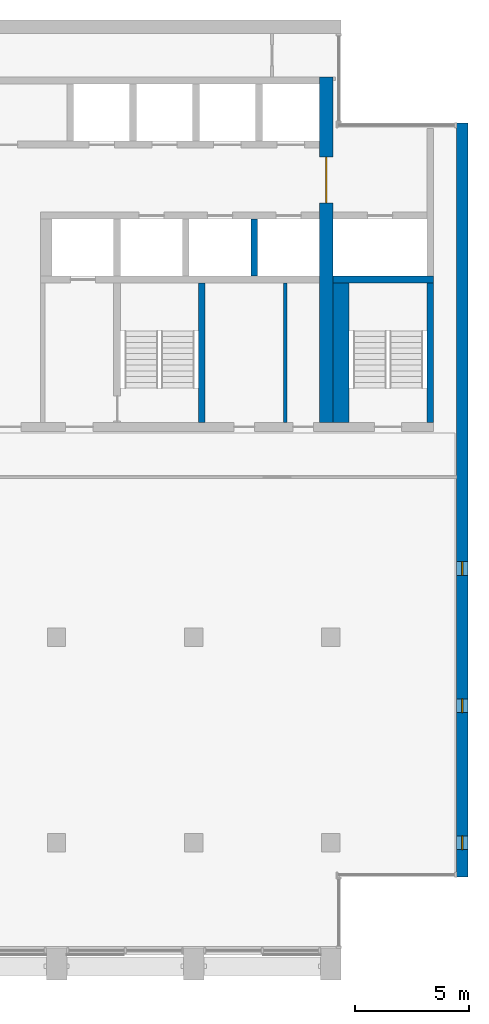
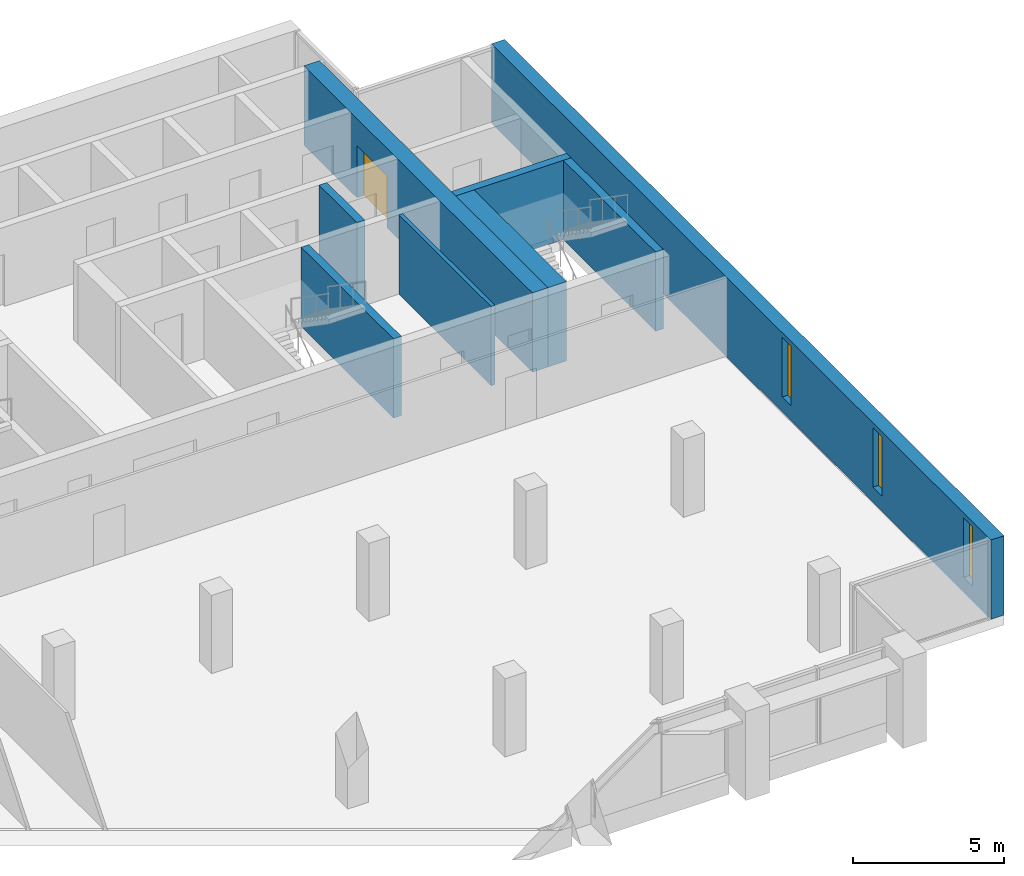
# One storey, part 9 of 14: 8 walls, 3 windows, 1 door, 4 openings.
"""IFC4 building model written with IfcOpenShell, lengths in metres."""

from ifc_helpers import new_model, si_unit, direction, frame, frame_2d, origin, place, context, subcontext, project, spatial, rectangle, extrude, material, layer, layer_set, type_object, element, fill, save


model = new_model("IFC4")

# Units and contexts
model_context = context("Model", 3, precision=1e-05, world=origin(), true_north=direction((0.0, 1.0)))
body_context = subcontext(model_context, "Body", "Model", "MODEL_VIEW")
ifc_project = project(units=[si_unit("LENGTHUNIT", "METRE"), si_unit("AREAUNIT", "SQUARE_METRE"), si_unit("VOLUMEUNIT", "CUBIC_METRE"), si_unit("PLANEANGLEUNIT", "RADIAN"), si_unit("MASSUNIT", "GRAM", prefix="KILO")], contexts=[model_context])

# Site, building, storey
site_placement = place(None, origin())
site = spatial("IfcSite", under=ifc_project, at=site_placement, CompositionType="ELEMENT")
building_placement = place(site_placement, origin())
building = spatial("IfcBuilding", under=site, at=building_placement, Name="Calvaro Tower", CompositionType="ELEMENT")
storey_placement = place(building_placement, frame((0.0, 0.0, 262.14990234375)))
storey = spatial("IfcBuildingStorey", under=building, at=storey_placement, Name="L66", CompositionType="ELEMENT", Elevation=262.14990234375)

# Walls
ifc_material_1 = material(Name="Blockwork partition", Category="masonry")
ifc_layer_1 = layer(ifc_material_1, 0.14990234375)
ifc_layer_set_1 = layer_set([ifc_layer_1], Name="Blockwork partition")
wall_type_1 = type_object("IfcWallType", Name="Core partition 150 EI 60", PredefinedType="PARTITIONING", material=ifc_layer_set_1)
wall_1_placement = place(storey_placement, frame((58.0, 28.39990234375, 0.0), z_axis=(0.0, 0.0, 1.0), x_axis=(0.0, 1.0, 0.0)))
element("IfcWall", 1, at=wall_1_placement, inside=storey, type_object=wall_type_1, Name="Core partition", PredefinedType="PARTITIONING", context=body_context, shape_type="SweptSolid", body=[
    extrude(rectangle(XDim=6.10009765625, YDim=0.14990234375, at=frame_2d((3.050048828125, 0.0))), origin(), (0.0, 0.0, 1.0), 3.2001953125),
])
ifc_material_2 = material(Name="Concrete C40/50", Category="concrete")
ifc_layer_2 = layer(ifc_material_2, 0.300048828125)
ifc_layer_set_2 = layer_set([ifc_layer_2], Name="Concrete C40/50")
wall_type_2 = type_object("IfcWallType", Name="Core wall C40/50 300", PredefinedType="SHEAR", material=ifc_layer_set_2)
for number, where, z_axis, x_axis, name in (
    (2, (54.35009765625, 28.39990234375, 0.0), (0.0, 0.0, 1.0), (0.0, 1.0, 0.0), "Core wall, stair enclosure"),
    (3, (64.35009765625, 28.39990234375, 0.0), (0.0, 0.0, 1.0), (0.0, 1.0, 0.0), "Core wall, stair enclosure"),
):
    element("IfcWall", number, at=place(storey_placement, frame(where, z_axis=z_axis, x_axis=x_axis)), inside=storey, type_object=wall_type_2, Name=name, PredefinedType="SHEAR", context=body_context, shape_type="SweptSolid", body=[
        extrude(rectangle(XDim=6.10009765625, YDim=0.300048828125, at=frame_2d((3.050048828125, 0.0))), origin(), (0.0, 0.0, 1.0), 3.2001953125),
    ])
wall_2_placement = place(storey_placement, frame((60.10009765625, 34.64990234375, 0.0), z_axis=(0.0, 0.0, 1.0), x_axis=(1.0, 0.0, 0.0)))
element("IfcWall", 4, at=wall_2_placement, inside=storey, type_object=wall_type_2, Name="Core wall, lift shaft", PredefinedType="SHEAR", context=body_context, shape_type="SweptSolid", body=[
    extrude(rectangle(XDim=4.39990234375, YDim=0.300048828125, at=frame_2d((2.199951171875, 0.0))), origin(), (0.0, 0.0, 1.0), 3.2001953125),
])
wall_3_placement = place(storey_placement, frame((56.64990234375, 34.800048828125, 0.0), z_axis=(0.0, 0.0, 1.0), x_axis=(0.0, 1.0, 0.0)))
element("IfcWall", 5, at=wall_3_placement, inside=storey, type_object=wall_type_2, Name="Core wall, lift shaft", PredefinedType="SHEAR", context=body_context, shape_type="SweptSolid", body=[
    extrude(rectangle(XDim=2.5, YDim=0.300048828125, at=frame_2d((1.25, 0.0))), origin(), (0.0, 0.0, 1.0), 3.2001953125),
])

# Wall, opening, door
ifc_material_3 = material(Name="Concrete C40/50", Category="concrete")
ifc_layer_3 = layer(ifc_material_3, 0.60009765625)
ifc_layer_set_3 = layer_set([ifc_layer_3], Name="Concrete C40/50")
wall_type_3 = type_object("IfcWallType", Name="Core wall C40/50 600", PredefinedType="SHEAR", material=ifc_layer_set_3)
wall_4_placement = place(storey_placement, frame((59.800048828125, 28.39990234375, 0.0), z_axis=(0.0, 0.0, 1.0), x_axis=(0.0, 1.0, 0.0)))
wall_4 = element("IfcWall", 6, at=wall_4_placement, inside=storey, type_object=wall_type_3, Name="Core wall, cross shear wall", PredefinedType="SHEAR", context=body_context, shape_type="SweptSolid", body=[
    extrude(rectangle(XDim=15.10009765625, YDim=0.60009765625, at=frame_2d((7.550048828125, 0.0))), origin(), (0.0, 0.0, 1.0), 3.2001953125),
])
opening_1_placement = place(wall_4_placement, frame((9.60009765625, 0.0, 0.0)))
opening_1 = element("IfcOpeningElement", 7, at=opening_1_placement, cuts=wall_4, Name="Opening DD20D", PredefinedType="OPENING", context=body_context, shape_type="SweptSolid", body=[
    extrude(rectangle(XDim=2.0, YDim=2.10009765625, at=frame_2d((1.0, 1.050048828125))), frame((0.0, 0.31005859375, 0.0), z_axis=(0.0, -1.0, 0.0), x_axis=(1.0, 0.0, 0.0)), (0.0, 0.0, 1.0), 0.6201171875),
])
ifc_material_4 = material(Name="Steel door set", Category="steel")
door_type = type_object("IfcDoorType", Name="Lobby double door 2000 FD30S", OperationType="DOUBLE_DOOR_SINGLE_SWING", PredefinedType="DOOR", material=ifc_material_4)
door_placement = place(opening_1_placement, origin())
door = element("IfcDoor", 8, at=door_placement, inside=storey, type_object=door_type, Name="Lobby double door", OperationType="DOUBLE_DOOR_SINGLE_SWING", OverallHeight=2.10009765625, OverallWidth=2.0, PredefinedType="DOOR", context=body_context, shape_type="SweptSolid", body=[
    extrude(rectangle(XDim=2.0, YDim=2.10009765625, at=frame_2d((1.0, 1.050048828125))), frame((0.0, 0.02490234375, 0.0), z_axis=(0.0, -1.0, 0.0), x_axis=(1.0, 0.0, 0.0)), (0.0, 0.0, 1.0), 0.050048828125),
])
fill(opening_1, door)

# Wall
ifc_material_5 = material(Name="Concrete C40/50", Category="concrete")
ifc_layer_4 = layer(ifc_material_5, 0.699951171875)
ifc_layer_set_4 = layer_set([ifc_layer_4], Name="Concrete C40/50")
wall_type_4 = type_object("IfcWallType", Name="Core wall C40/50 700", PredefinedType="SHEAR", material=ifc_layer_set_4)
wall_5_placement = place(storey_placement, frame((60.449951171875, 28.39990234375, 0.0), z_axis=(0.0, 0.0, 1.0), x_axis=(0.0, 1.0, 0.0)))
element("IfcWall", 9, at=wall_5_placement, inside=storey, type_object=wall_type_4, Name="Core wall, stair enclosure", PredefinedType="SHEAR", context=body_context, shape_type="SweptSolid", body=[
    extrude(rectangle(XDim=6.10009765625, YDim=0.699951171875, at=frame_2d((3.050048828125, 0.0))), origin(), (0.0, 0.0, 1.0), 3.2001953125),
])

# Wall, openings, windows
ifc_material_6 = material(Name="Concrete C40/50", Category="concrete")
ifc_layer_5 = layer(ifc_material_6, 0.5)
ifc_layer_set_5 = layer_set([ifc_layer_5], Name="Concrete C40/50")
wall_type_5 = type_object("IfcWallType", Name="End wall 500 C40/50", PredefinedType="SHEAR", material=ifc_layer_set_5)
wall_6_placement = place(storey_placement, frame((65.75, 8.5, 0.0), z_axis=(0.0, 0.0, 1.0), x_axis=(0.0, 1.0, 0.0)))
wall_6 = element("IfcWall", 10, at=wall_6_placement, inside=storey, type_object=wall_type_5, Name="End shear wall", PredefinedType="SHEAR", context=body_context, shape_type="SweptSolid", body=[
    extrude(rectangle(XDim=33.0, YDim=0.5, at=frame_2d((16.5, 0.0))), origin(), (0.0, 0.0, 1.0), 3.2001953125),
])
opening_2_placement = place(wall_6_placement, frame((1.199951171875, 0.0, 0.60009765625)))
opening_2 = element("IfcOpeningElement", 11, at=opening_2_placement, cuts=wall_6, Name="Opening WE01", PredefinedType="OPENING", context=body_context, shape_type="SweptSolid", body=[
    extrude(rectangle(XDim=0.60009765625, YDim=2.39990234375, at=frame_2d((0.300048828125, 1.199951171875))), frame((0.0, 0.260009765625, 0.0), z_axis=(0.0, -1.0, 0.0), x_axis=(1.0, 0.0, 0.0)), (0.0, 0.0, 1.0), 0.52001953125),
])
opening_3_placement = place(wall_6_placement, frame((7.199951171875, 0.0, 0.60009765625)))
opening_3 = element("IfcOpeningElement", 12, at=opening_3_placement, cuts=wall_6, Name="Opening WE02", PredefinedType="OPENING", context=body_context, shape_type="SweptSolid", body=[
    extrude(rectangle(XDim=0.60009765625, YDim=2.39990234375, at=frame_2d((0.300048828125, 1.199951171875))), frame((0.0, 0.260009765625, 0.0), z_axis=(0.0, -1.0, 0.0), x_axis=(1.0, 0.0, 0.0)), (0.0, 0.0, 1.0), 0.52001953125),
])
opening_4_placement = place(wall_6_placement, frame((13.199951171875, 0.0, 0.60009765625)))
opening_4 = element("IfcOpeningElement", 13, at=opening_4_placement, cuts=wall_6, Name="Opening WE03", PredefinedType="OPENING", context=body_context, shape_type="SweptSolid", body=[
    extrude(rectangle(XDim=0.60009765625, YDim=2.39990234375, at=frame_2d((0.300048828125, 1.199951171875))), frame((0.0, 0.260009765625, 0.0), z_axis=(0.0, -1.0, 0.0), x_axis=(1.0, 0.0, 0.0)), (0.0, 0.0, 1.0), 0.52001953125),
])
ifc_material_7 = material(Name="Glass", Category="glass")
window_type = type_object("IfcWindowType", Name="Slit window 600 x 2400", PartitioningType="SINGLE_PANEL", PredefinedType="WINDOW", material=ifc_material_7)
window_1_placement = place(opening_2_placement, origin())
window_1 = element("IfcWindow", 14, at=window_1_placement, inside=storey, type_object=window_type, Name="Window WE01", OverallHeight=2.39990234375, OverallWidth=0.60009765625, PartitioningType="SINGLE_PANEL", PredefinedType="WINDOW", context=body_context, shape_type="SweptSolid", body=[
    extrude(rectangle(XDim=0.60009765625, YDim=2.39990234375, at=frame_2d((0.300048828125, 1.199951171875))), frame((0.0, 0.030029296875, 0.0), z_axis=(0.0, -1.0, 0.0), x_axis=(1.0, 0.0, 0.0)), (0.0, 0.0, 1.0), 0.06005859375),
])
fill(opening_2, window_1)
window_2_placement = place(opening_3_placement, origin())
window_2 = element("IfcWindow", 15, at=window_2_placement, inside=storey, type_object=window_type, Name="Window WE02", OverallHeight=2.39990234375, OverallWidth=0.60009765625, PartitioningType="SINGLE_PANEL", PredefinedType="WINDOW", context=body_context, shape_type="SweptSolid", body=[
    extrude(rectangle(XDim=0.60009765625, YDim=2.39990234375, at=frame_2d((0.300048828125, 1.199951171875))), frame((0.0, 0.030029296875, 0.0), z_axis=(0.0, -1.0, 0.0), x_axis=(1.0, 0.0, 0.0)), (0.0, 0.0, 1.0), 0.06005859375),
])
fill(opening_3, window_2)
window_3_placement = place(opening_4_placement, origin())
window_3 = element("IfcWindow", 16, at=window_3_placement, inside=storey, type_object=window_type, Name="Window WE03", OverallHeight=2.39990234375, OverallWidth=0.60009765625, PartitioningType="SINGLE_PANEL", PredefinedType="WINDOW", context=body_context, shape_type="SweptSolid", body=[
    extrude(rectangle(XDim=0.60009765625, YDim=2.39990234375, at=frame_2d((0.300048828125, 1.199951171875))), frame((0.0, 0.030029296875, 0.0), z_axis=(0.0, -1.0, 0.0), x_axis=(1.0, 0.0, 0.0)), (0.0, 0.0, 1.0), 0.06005859375),
])
fill(opening_4, window_3)

save(model, "model.ifc")
